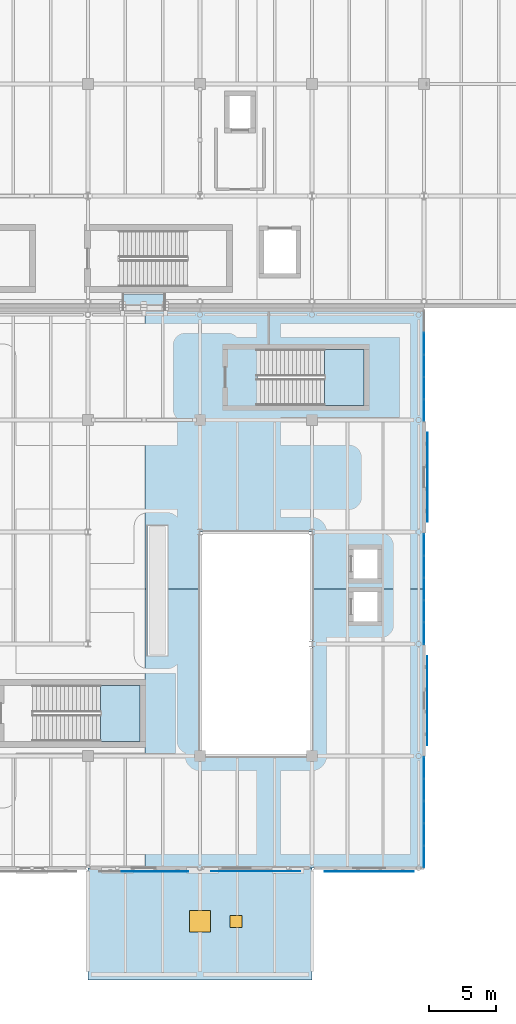
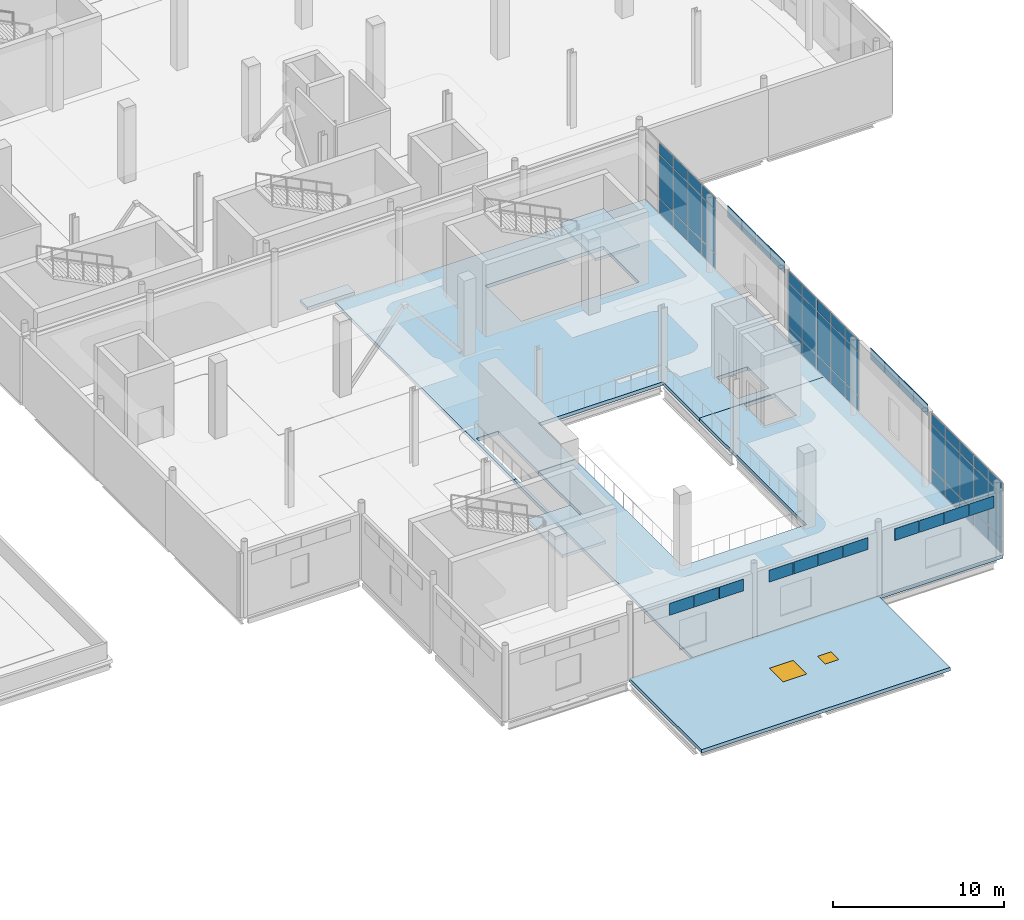
# One storey, part 61 of 110: 61 plates, 6 slabs, 1 door, 1 window, 2 openings, 5 elements without a shape of their own.
"""IFC4 building model written with IfcOpenShell, lengths in metres."""

from ifc_helpers import new_model, si_unit, direction, frame, origin, origin_2d, place, context, subcontext, project, spatial, polyline, rectangle, outline, extrude, material, layer, layer_set, type_object, element, fill, aggregate, save


model = new_model("IFC4")

# Units and contexts
model_context = context("Model", 3, precision=1e-05, world=origin(), true_north=direction((0.0, 1.0)))
body_context = subcontext(model_context, "Body", "Model", "MODEL_VIEW")
ifc_project = project(units=[si_unit("LENGTHUNIT", "METRE"), si_unit("AREAUNIT", "SQUARE_METRE"), si_unit("VOLUMEUNIT", "CUBIC_METRE"), si_unit("PLANEANGLEUNIT", "RADIAN"), si_unit("MASSUNIT", "GRAM", prefix="KILO"), si_unit("THERMODYNAMICTEMPERATUREUNIT", "KELVIN")], contexts=[model_context])

# Site, building, storey
site_placement = place(None, origin())
site = spatial("IfcSite", under=ifc_project, at=site_placement, CompositionType="ELEMENT")
building_placement = place(site_placement, origin())
building = spatial("IfcBuilding", under=site, at=building_placement, Name="Lustrewick Department Store", CompositionType="ELEMENT")
storey_placement = place(building_placement, frame((0.0, 0.0, 6.0)))
storey = spatial("IfcBuildingStorey", under=building, at=storey_placement, Name="L02", CompositionType="ELEMENT", Elevation=6.0)

# Curtain wall, plates
ifc_material_1 = material(Name="Thermally broken aluminium 6063-T5", Category="aluminium")
ifc_layer_1 = layer(ifc_material_1, 0.139892578125, Name="Thermally broken aluminium 6063-T5")
ifc_layer_set_1 = layer_set([ifc_layer_1], Name="Thermally broken aluminium 6063-T5")
curtain_wall_type_1 = type_object("IfcCurtainWallType", Name="CW06", PredefinedType="NOTDEFINED", material=ifc_layer_set_1)
curtain_wall_1_placement = place(storey_placement, origin())
curtain_wall_1 = element("IfcCurtainWall", 1, at=curtain_wall_1_placement, inside=storey, type_object=curtain_wall_type_1, Name="L02 V3 Curtain Wall CW06", PredefinedType="NOTDEFINED")
ifc_material_2 = material(Name="Low-E laminated safety glass", Category="glass")
ifc_layer_2 = layer(ifc_material_2, 0.02392578125, Name="Low-E laminated safety glass")
ifc_layer_set_2 = layer_set([ifc_layer_2], Name="Low-E laminated safety glass")
plate_type_1 = type_object("IfcPlateType", Name="CP01", PredefinedType="CURTAIN_PANEL", material=ifc_layer_set_2)
plate_1_placement = place(storey_placement, frame((151.199951171875, 42.730712890625, 0.054931640625), z_axis=(0.0, 0.0, 1.0), x_axis=(0.0, 1.0, 0.0)))
plate_1 = element("IfcPlate", 2, at=plate_1_placement, type_object=plate_type_1, Name="CW06 panel 1.1", PredefinedType="CURTAIN_PANEL", context=body_context, shape_type="SweptSolid", body=[
    extrude(rectangle(XDim=1.591552734375, YDim=0.02392578125, at=origin_2d()), origin(), (0.0, 0.0, 1.0), 1.017578125),
])
plate_2_placement = place(storey_placement, frame((151.199951171875, 42.730712890625, 1.12744140625), z_axis=(0.0, 0.0, 1.0), x_axis=(0.0, 1.0, 0.0)))
plate_2 = element("IfcPlate", 3, at=plate_2_placement, type_object=plate_type_1, Name="CW06 panel 1.2", PredefinedType="CURTAIN_PANEL", context=body_context, shape_type="SweptSolid", body=[
    extrude(rectangle(XDim=1.591552734375, YDim=0.02392578125, at=origin_2d()), origin(), (0.0, 0.0, 1.0), 3.090087890625),
])
plate_3_placement = place(storey_placement, frame((151.199951171875, 42.730712890625, 4.2724609375), z_axis=(0.0, 0.0, 1.0), x_axis=(0.0, 1.0, 0.0)))
plate_3 = element("IfcPlate", 4, at=plate_3_placement, type_object=plate_type_1, Name="CW06 panel 1.3", PredefinedType="CURTAIN_PANEL", context=body_context, shape_type="SweptSolid", body=[
    extrude(rectangle(XDim=1.591552734375, YDim=0.02392578125, at=origin_2d()), origin(), (0.0, 0.0, 1.0), 0.8173828125),
])
plate_4_placement = place(storey_placement, frame((151.199951171875, 44.39111328125, 0.054931640625), z_axis=(0.0, 0.0, 1.0), x_axis=(0.0, 1.0, 0.0)))
plate_4 = element("IfcPlate", 5, at=plate_4_placement, type_object=plate_type_1, Name="CW06 panel 2.1", PredefinedType="CURTAIN_PANEL", context=body_context, shape_type="SweptSolid", body=[
    extrude(rectangle(XDim=1.618896484375, YDim=0.02392578125, at=origin_2d()), origin(), (0.0, 0.0, 1.0), 1.017578125),
])
plate_5_placement = place(storey_placement, frame((151.199951171875, 44.39111328125, 1.12744140625), z_axis=(0.0, 0.0, 1.0), x_axis=(0.0, 1.0, 0.0)))
plate_5 = element("IfcPlate", 6, at=plate_5_placement, type_object=plate_type_1, Name="CW06 panel 2.2", PredefinedType="CURTAIN_PANEL", context=body_context, shape_type="SweptSolid", body=[
    extrude(rectangle(XDim=1.618896484375, YDim=0.02392578125, at=origin_2d()), origin(), (0.0, 0.0, 1.0), 3.090087890625),
])
plate_6_placement = place(storey_placement, frame((151.199951171875, 44.39111328125, 4.2724609375), z_axis=(0.0, 0.0, 1.0), x_axis=(0.0, 1.0, 0.0)))
plate_6 = element("IfcPlate", 7, at=plate_6_placement, type_object=plate_type_1, Name="CW06 panel 2.3", PredefinedType="CURTAIN_PANEL", context=body_context, shape_type="SweptSolid", body=[
    extrude(rectangle(XDim=1.618896484375, YDim=0.02392578125, at=origin_2d()), origin(), (0.0, 0.0, 1.0), 0.8173828125),
])
plate_7_placement = place(storey_placement, frame((151.199951171875, 46.06494140625, 0.054931640625), z_axis=(0.0, 0.0, 1.0), x_axis=(0.0, 1.0, 0.0)))
plate_7 = element("IfcPlate", 8, at=plate_7_placement, type_object=plate_type_1, Name="CW06 panel 3.1", PredefinedType="CURTAIN_PANEL", context=body_context, shape_type="SweptSolid", body=[
    extrude(rectangle(XDim=1.618896484375, YDim=0.02392578125, at=origin_2d()), origin(), (0.0, 0.0, 1.0), 1.017578125),
])
plate_8_placement = place(storey_placement, frame((151.199951171875, 46.06494140625, 1.12744140625), z_axis=(0.0, 0.0, 1.0), x_axis=(0.0, 1.0, 0.0)))
plate_8 = element("IfcPlate", 9, at=plate_8_placement, type_object=plate_type_1, Name="CW06 panel 3.2", PredefinedType="CURTAIN_PANEL", context=body_context, shape_type="SweptSolid", body=[
    extrude(rectangle(XDim=1.618896484375, YDim=0.02392578125, at=origin_2d()), origin(), (0.0, 0.0, 1.0), 3.090087890625),
])
plate_9_placement = place(storey_placement, frame((151.199951171875, 46.06494140625, 4.2724609375), z_axis=(0.0, 0.0, 1.0), x_axis=(0.0, 1.0, 0.0)))
plate_9 = element("IfcPlate", 10, at=plate_9_placement, type_object=plate_type_1, Name="CW06 panel 3.3", PredefinedType="CURTAIN_PANEL", context=body_context, shape_type="SweptSolid", body=[
    extrude(rectangle(XDim=1.618896484375, YDim=0.02392578125, at=origin_2d()), origin(), (0.0, 0.0, 1.0), 0.8173828125),
])
plate_10_placement = place(storey_placement, frame((151.199951171875, 47.739013671875, 0.054931640625), z_axis=(0.0, 0.0, 1.0), x_axis=(0.0, 1.0, 0.0)))
plate_10 = element("IfcPlate", 11, at=plate_10_placement, type_object=plate_type_1, Name="CW06 panel 4.1", PredefinedType="CURTAIN_PANEL", context=body_context, shape_type="SweptSolid", body=[
    extrude(rectangle(XDim=1.618896484375, YDim=0.02392578125, at=origin_2d()), origin(), (0.0, 0.0, 1.0), 1.017578125),
])
plate_11_placement = place(storey_placement, frame((151.199951171875, 47.739013671875, 1.12744140625), z_axis=(0.0, 0.0, 1.0), x_axis=(0.0, 1.0, 0.0)))
plate_11 = element("IfcPlate", 12, at=plate_11_placement, type_object=plate_type_1, Name="CW06 panel 4.2", PredefinedType="CURTAIN_PANEL", context=body_context, shape_type="SweptSolid", body=[
    extrude(rectangle(XDim=1.618896484375, YDim=0.02392578125, at=origin_2d()), origin(), (0.0, 0.0, 1.0), 3.090087890625),
])
plate_12_placement = place(storey_placement, frame((151.199951171875, 47.739013671875, 4.2724609375), z_axis=(0.0, 0.0, 1.0), x_axis=(0.0, 1.0, 0.0)))
plate_12 = element("IfcPlate", 13, at=plate_12_placement, type_object=plate_type_1, Name="CW06 panel 4.3", PredefinedType="CURTAIN_PANEL", context=body_context, shape_type="SweptSolid", body=[
    extrude(rectangle(XDim=1.618896484375, YDim=0.02392578125, at=origin_2d()), origin(), (0.0, 0.0, 1.0), 0.8173828125),
])
aggregate(curtain_wall_1, [plate_1, plate_2, plate_3, plate_4, plate_5, plate_6, plate_7, plate_8, plate_9, plate_10, plate_11, plate_12])

ifc_layer_3 = layer(ifc_material_1, 0.159912109375, Name="Thermally broken aluminium 6063-T5")
ifc_layer_set_3 = layer_set([ifc_layer_3], Name="Thermally broken aluminium 6063-T5")
curtain_wall_type_2 = type_object("IfcCurtainWallType", Name="CW04", PredefinedType="NOTDEFINED", material=ifc_layer_set_3)
curtain_wall_2_placement = place(storey_placement, origin())
curtain_wall_2 = element("IfcCurtainWall", 14, at=curtain_wall_2_placement, inside=storey, type_object=curtain_wall_type_2, Name="L02 V3 Curtain Wall CW04", PredefinedType="NOTDEFINED")
ifc_material_3 = material(Name="Tinted ceramic spandrel safety glass", Category="glass")
ifc_layer_4 = layer(ifc_material_3, 0.030029296875, Name="Tinted ceramic spandrel safety glass")
ifc_layer_set_4 = layer_set([ifc_layer_4], Name="Tinted ceramic spandrel safety glass")
plate_type_2 = type_object("IfcPlateType", Name="CP04", PredefinedType="CURTAIN_PANEL", material=ifc_layer_set_4)
plate_13_placement = place(storey_placement, frame((151.199951171875, 9.251953125, 0.06005859375), z_axis=(0.0, 0.0, 1.0), x_axis=(0.0, 1.0, 0.0)))
plate_13 = element("IfcPlate", 15, at=plate_13_placement, type_object=plate_type_2, Name="CW04 panel 1.1", PredefinedType="CURTAIN_PANEL", context=body_context, shape_type="SweptSolid", body=[
    extrude(rectangle(XDim=1.583984375, YDim=0.030029296875, at=origin_2d()), origin(), (0.0, 0.0, 1.0), 1.010009765625),
])
plate_14_placement = place(storey_placement, frame((151.199951171875, 9.251953125, 1.130126953125), z_axis=(0.0, 0.0, 1.0), x_axis=(0.0, 1.0, 0.0)))
plate_14 = element("IfcPlate", 16, at=plate_14_placement, type_object=plate_type_2, Name="CW04 panel 1.2", PredefinedType="CURTAIN_PANEL", context=body_context, shape_type="SweptSolid", body=[
    extrude(rectangle(XDim=1.583984375, YDim=0.030029296875, at=origin_2d()), origin(), (0.0, 0.0, 1.0), 3.0849609375),
])
plate_15_placement = place(storey_placement, frame((151.199951171875, 9.251953125, 4.27490234375), z_axis=(0.0, 0.0, 1.0), x_axis=(0.0, 1.0, 0.0)))
plate_15 = element("IfcPlate", 17, at=plate_15_placement, type_object=plate_type_2, Name="CW04 panel 1.3", PredefinedType="CURTAIN_PANEL", context=body_context, shape_type="SweptSolid", body=[
    extrude(rectangle(XDim=1.583984375, YDim=0.030029296875, at=origin_2d()), origin(), (0.0, 0.0, 1.0), 0.81005859375),
])
plate_16_placement = place(storey_placement, frame((151.199951171875, 10.910888671875, 0.06005859375), z_axis=(0.0, 0.0, 1.0), x_axis=(0.0, 1.0, 0.0)))
plate_16 = element("IfcPlate", 18, at=plate_16_placement, type_object=plate_type_2, Name="CW04 panel 2.1", PredefinedType="CURTAIN_PANEL", context=body_context, shape_type="SweptSolid", body=[
    extrude(rectangle(XDim=1.614013671875, YDim=0.030029296875, at=origin_2d()), origin(), (0.0, 0.0, 1.0), 1.010009765625),
])
plate_17_placement = place(storey_placement, frame((151.199951171875, 10.910888671875, 1.130126953125), z_axis=(0.0, 0.0, 1.0), x_axis=(0.0, 1.0, 0.0)))
plate_17 = element("IfcPlate", 19, at=plate_17_placement, type_object=plate_type_2, Name="CW04 panel 2.2", PredefinedType="CURTAIN_PANEL", context=body_context, shape_type="SweptSolid", body=[
    extrude(rectangle(XDim=1.614013671875, YDim=0.030029296875, at=origin_2d()), origin(), (0.0, 0.0, 1.0), 3.0849609375),
])
plate_18_placement = place(storey_placement, frame((151.199951171875, 10.910888671875, 4.27490234375), z_axis=(0.0, 0.0, 1.0), x_axis=(0.0, 1.0, 0.0)))
plate_18 = element("IfcPlate", 20, at=plate_18_placement, type_object=plate_type_2, Name="CW04 panel 2.3", PredefinedType="CURTAIN_PANEL", context=body_context, shape_type="SweptSolid", body=[
    extrude(rectangle(XDim=1.614013671875, YDim=0.030029296875, at=origin_2d()), origin(), (0.0, 0.0, 1.0), 0.81005859375),
])
plate_19_placement = place(storey_placement, frame((151.199951171875, 12.5849609375, 0.06005859375), z_axis=(0.0, 0.0, 1.0), x_axis=(0.0, 1.0, 0.0)))
plate_19 = element("IfcPlate", 21, at=plate_19_placement, type_object=plate_type_2, Name="CW04 panel 3.1", PredefinedType="CURTAIN_PANEL", context=body_context, shape_type="SweptSolid", body=[
    extrude(rectangle(XDim=1.614013671875, YDim=0.030029296875, at=origin_2d()), origin(), (0.0, 0.0, 1.0), 1.010009765625),
])
plate_20_placement = place(storey_placement, frame((151.199951171875, 12.5849609375, 1.130126953125), z_axis=(0.0, 0.0, 1.0), x_axis=(0.0, 1.0, 0.0)))
plate_20 = element("IfcPlate", 22, at=plate_20_placement, type_object=plate_type_2, Name="CW04 panel 3.2", PredefinedType="CURTAIN_PANEL", context=body_context, shape_type="SweptSolid", body=[
    extrude(rectangle(XDim=1.614013671875, YDim=0.030029296875, at=origin_2d()), origin(), (0.0, 0.0, 1.0), 3.0849609375),
])
plate_21_placement = place(storey_placement, frame((151.199951171875, 12.5849609375, 4.27490234375), z_axis=(0.0, 0.0, 1.0), x_axis=(0.0, 1.0, 0.0)))
plate_21 = element("IfcPlate", 23, at=plate_21_placement, type_object=plate_type_2, Name="CW04 panel 3.3", PredefinedType="CURTAIN_PANEL", context=body_context, shape_type="SweptSolid", body=[
    extrude(rectangle(XDim=1.614013671875, YDim=0.030029296875, at=origin_2d()), origin(), (0.0, 0.0, 1.0), 0.81005859375),
])
plate_22_placement = place(storey_placement, frame((151.199951171875, 14.259033203125, 0.06005859375), z_axis=(0.0, 0.0, 1.0), x_axis=(0.0, 1.0, 0.0)))
plate_22 = element("IfcPlate", 24, at=plate_22_placement, type_object=plate_type_2, Name="CW04 panel 4.1", PredefinedType="CURTAIN_PANEL", context=body_context, shape_type="SweptSolid", body=[
    extrude(rectangle(XDim=1.614013671875, YDim=0.030029296875, at=origin_2d()), origin(), (0.0, 0.0, 1.0), 1.010009765625),
])
plate_23_placement = place(storey_placement, frame((151.199951171875, 14.259033203125, 1.130126953125), z_axis=(0.0, 0.0, 1.0), x_axis=(0.0, 1.0, 0.0)))
plate_23 = element("IfcPlate", 25, at=plate_23_placement, type_object=plate_type_2, Name="CW04 panel 4.2", PredefinedType="CURTAIN_PANEL", context=body_context, shape_type="SweptSolid", body=[
    extrude(rectangle(XDim=1.614013671875, YDim=0.030029296875, at=origin_2d()), origin(), (0.0, 0.0, 1.0), 3.0849609375),
])
plate_24_placement = place(storey_placement, frame((151.199951171875, 14.259033203125, 4.27490234375), z_axis=(0.0, 0.0, 1.0), x_axis=(0.0, 1.0, 0.0)))
plate_24 = element("IfcPlate", 26, at=plate_24_placement, type_object=plate_type_2, Name="CW04 panel 4.3", PredefinedType="CURTAIN_PANEL", context=body_context, shape_type="SweptSolid", body=[
    extrude(rectangle(XDim=1.614013671875, YDim=0.030029296875, at=origin_2d()), origin(), (0.0, 0.0, 1.0), 0.81005859375),
])
plate_25_placement = place(storey_placement, frame((151.199951171875, 15.91796875, 0.06005859375), z_axis=(0.0, 0.0, 1.0), x_axis=(0.0, 1.0, 0.0)))
plate_25 = element("IfcPlate", 27, at=plate_25_placement, type_object=plate_type_2, Name="CW04 panel 5.1", PredefinedType="CURTAIN_PANEL", context=body_context, shape_type="SweptSolid", body=[
    extrude(rectangle(XDim=1.583984375, YDim=0.030029296875, at=origin_2d()), origin(), (0.0, 0.0, 1.0), 1.010009765625),
])
plate_26_placement = place(storey_placement, frame((151.199951171875, 15.91796875, 1.130126953125), z_axis=(0.0, 0.0, 1.0), x_axis=(0.0, 1.0, 0.0)))
plate_26 = element("IfcPlate", 28, at=plate_26_placement, type_object=plate_type_2, Name="CW04 panel 5.2", PredefinedType="CURTAIN_PANEL", context=body_context, shape_type="SweptSolid", body=[
    extrude(rectangle(XDim=1.583984375, YDim=0.030029296875, at=origin_2d()), origin(), (0.0, 0.0, 1.0), 3.0849609375),
])
plate_27_placement = place(storey_placement, frame((151.199951171875, 15.91796875, 4.27490234375), z_axis=(0.0, 0.0, 1.0), x_axis=(0.0, 1.0, 0.0)))
plate_27 = element("IfcPlate", 29, at=plate_27_placement, type_object=plate_type_2, Name="CW04 panel 5.3", PredefinedType="CURTAIN_PANEL", context=body_context, shape_type="SweptSolid", body=[
    extrude(rectangle(XDim=1.583984375, YDim=0.030029296875, at=origin_2d()), origin(), (0.0, 0.0, 1.0), 0.81005859375),
])
aggregate(curtain_wall_2, [plate_13, plate_14, plate_15, plate_16, plate_17, plate_18, plate_19, plate_20, plate_21, plate_22, plate_23, plate_24, plate_25, plate_26, plate_27])

ifc_layer_5 = layer(ifc_material_1, 0.14990234375, Name="Thermally broken aluminium 6063-T5")
ifc_layer_set_5 = layer_set([ifc_layer_5], Name="Thermally broken aluminium 6063-T5")
curtain_wall_type_3 = type_object("IfcCurtainWallType", Name="CW05", PredefinedType="NOTDEFINED", material=ifc_layer_set_5)
curtain_wall_3_placement = place(storey_placement, origin())
curtain_wall_3 = element("IfcCurtainWall", 30, at=curtain_wall_3_placement, inside=storey, type_object=curtain_wall_type_3, Name="L02 V3 Curtain Wall CW05", PredefinedType="NOTDEFINED")
ifc_material_4 = material(Name="Low-E triple laminated safety glass", Category="glass")
ifc_layer_6 = layer(ifc_material_4, 0.031982421875, Name="Low-E triple laminated safety glass")
ifc_layer_set_6 = layer_set([ifc_layer_6], Name="Low-E triple laminated safety glass")
plate_type_3 = type_object("IfcPlateType", Name="CP05", PredefinedType="CURTAIN_PANEL", material=ifc_layer_set_6)
plate_28_placement = place(storey_placement, frame((151.199951171875, 25.991943359375, 0.06005859375), z_axis=(0.0, 0.0, 1.0), x_axis=(0.0, 1.0, 0.0)))
plate_28 = element("IfcPlate", 31, at=plate_28_placement, type_object=plate_type_3, Name="CW05 panel 1.1", PredefinedType="CURTAIN_PANEL", context=body_context, shape_type="SweptSolid", body=[
    extrude(rectangle(XDim=1.583984375, YDim=0.031982421875, at=origin_2d()), origin(), (0.0, 0.0, 1.0), 1.010009765625),
])
plate_29_placement = place(storey_placement, frame((151.199951171875, 25.991943359375, 1.130126953125), z_axis=(0.0, 0.0, 1.0), x_axis=(0.0, 1.0, 0.0)))
plate_29 = element("IfcPlate", 32, at=plate_29_placement, type_object=plate_type_3, Name="CW05 panel 1.2", PredefinedType="CURTAIN_PANEL", context=body_context, shape_type="SweptSolid", body=[
    extrude(rectangle(XDim=1.583984375, YDim=0.031982421875, at=origin_2d()), origin(), (0.0, 0.0, 1.0), 3.0849609375),
])
plate_30_placement = place(storey_placement, frame((151.199951171875, 25.991943359375, 4.27490234375), z_axis=(0.0, 0.0, 1.0), x_axis=(0.0, 1.0, 0.0)))
plate_30 = element("IfcPlate", 33, at=plate_30_placement, type_object=plate_type_3, Name="CW05 panel 1.3", PredefinedType="CURTAIN_PANEL", context=body_context, shape_type="SweptSolid", body=[
    extrude(rectangle(XDim=1.583984375, YDim=0.031982421875, at=origin_2d()), origin(), (0.0, 0.0, 1.0), 0.81005859375),
])
plate_31_placement = place(storey_placement, frame((151.199951171875, 27.65087890625, 0.06005859375), z_axis=(0.0, 0.0, 1.0), x_axis=(0.0, 1.0, 0.0)))
plate_31 = element("IfcPlate", 34, at=plate_31_placement, type_object=plate_type_3, Name="CW05 panel 2.1", PredefinedType="CURTAIN_PANEL", context=body_context, shape_type="SweptSolid", body=[
    extrude(rectangle(XDim=1.614013671875, YDim=0.031982421875, at=origin_2d()), origin(), (0.0, 0.0, 1.0), 1.010009765625),
])
plate_32_placement = place(storey_placement, frame((151.199951171875, 27.65087890625, 1.130126953125), z_axis=(0.0, 0.0, 1.0), x_axis=(0.0, 1.0, 0.0)))
plate_32 = element("IfcPlate", 35, at=plate_32_placement, type_object=plate_type_3, Name="CW05 panel 2.2", PredefinedType="CURTAIN_PANEL", context=body_context, shape_type="SweptSolid", body=[
    extrude(rectangle(XDim=1.614013671875, YDim=0.031982421875, at=origin_2d()), origin(), (0.0, 0.0, 1.0), 3.0849609375),
])
plate_33_placement = place(storey_placement, frame((151.199951171875, 27.65087890625, 4.27490234375), z_axis=(0.0, 0.0, 1.0), x_axis=(0.0, 1.0, 0.0)))
plate_33 = element("IfcPlate", 36, at=plate_33_placement, type_object=plate_type_3, Name="CW05 panel 2.3", PredefinedType="CURTAIN_PANEL", context=body_context, shape_type="SweptSolid", body=[
    extrude(rectangle(XDim=1.614013671875, YDim=0.031982421875, at=origin_2d()), origin(), (0.0, 0.0, 1.0), 0.81005859375),
])
plate_34_placement = place(storey_placement, frame((151.199951171875, 29.324951171875, 0.06005859375), z_axis=(0.0, 0.0, 1.0), x_axis=(0.0, 1.0, 0.0)))
plate_34 = element("IfcPlate", 37, at=plate_34_placement, type_object=plate_type_3, Name="CW05 panel 3.1", PredefinedType="CURTAIN_PANEL", context=body_context, shape_type="SweptSolid", body=[
    extrude(rectangle(XDim=1.614013671875, YDim=0.031982421875, at=origin_2d()), origin(), (0.0, 0.0, 1.0), 1.010009765625),
])
plate_35_placement = place(storey_placement, frame((151.199951171875, 29.324951171875, 1.130126953125), z_axis=(0.0, 0.0, 1.0), x_axis=(0.0, 1.0, 0.0)))
plate_35 = element("IfcPlate", 38, at=plate_35_placement, type_object=plate_type_3, Name="CW05 panel 3.2", PredefinedType="CURTAIN_PANEL", context=body_context, shape_type="SweptSolid", body=[
    extrude(rectangle(XDim=1.614013671875, YDim=0.031982421875, at=origin_2d()), origin(), (0.0, 0.0, 1.0), 3.0849609375),
])
plate_36_placement = place(storey_placement, frame((151.199951171875, 29.324951171875, 4.27490234375), z_axis=(0.0, 0.0, 1.0), x_axis=(0.0, 1.0, 0.0)))
plate_36 = element("IfcPlate", 39, at=plate_36_placement, type_object=plate_type_3, Name="CW05 panel 3.3", PredefinedType="CURTAIN_PANEL", context=body_context, shape_type="SweptSolid", body=[
    extrude(rectangle(XDim=1.614013671875, YDim=0.031982421875, at=origin_2d()), origin(), (0.0, 0.0, 1.0), 0.81005859375),
])
plate_37_placement = place(storey_placement, frame((151.199951171875, 30.9990234375, 0.06005859375), z_axis=(0.0, 0.0, 1.0), x_axis=(0.0, 1.0, 0.0)))
plate_37 = element("IfcPlate", 40, at=plate_37_placement, type_object=plate_type_3, Name="CW05 panel 4.1", PredefinedType="CURTAIN_PANEL", context=body_context, shape_type="SweptSolid", body=[
    extrude(rectangle(XDim=1.614013671875, YDim=0.031982421875, at=origin_2d()), origin(), (0.0, 0.0, 1.0), 1.010009765625),
])
plate_38_placement = place(storey_placement, frame((151.199951171875, 30.9990234375, 1.130126953125), z_axis=(0.0, 0.0, 1.0), x_axis=(0.0, 1.0, 0.0)))
plate_38 = element("IfcPlate", 41, at=plate_38_placement, type_object=plate_type_3, Name="CW05 panel 4.2", PredefinedType="CURTAIN_PANEL", context=body_context, shape_type="SweptSolid", body=[
    extrude(rectangle(XDim=1.614013671875, YDim=0.031982421875, at=origin_2d()), origin(), (0.0, 0.0, 1.0), 3.0849609375),
])
plate_39_placement = place(storey_placement, frame((151.199951171875, 30.9990234375, 4.27490234375), z_axis=(0.0, 0.0, 1.0), x_axis=(0.0, 1.0, 0.0)))
plate_39 = element("IfcPlate", 42, at=plate_39_placement, type_object=plate_type_3, Name="CW05 panel 4.3", PredefinedType="CURTAIN_PANEL", context=body_context, shape_type="SweptSolid", body=[
    extrude(rectangle(XDim=1.614013671875, YDim=0.031982421875, at=origin_2d()), origin(), (0.0, 0.0, 1.0), 0.81005859375),
])
plate_40_placement = place(storey_placement, frame((151.199951171875, 32.657958984375, 0.06005859375), z_axis=(0.0, 0.0, 1.0), x_axis=(0.0, 1.0, 0.0)))
plate_40 = element("IfcPlate", 43, at=plate_40_placement, type_object=plate_type_3, Name="CW05 panel 5.1", PredefinedType="CURTAIN_PANEL", context=body_context, shape_type="SweptSolid", body=[
    extrude(rectangle(XDim=1.583984375, YDim=0.031982421875, at=origin_2d()), origin(), (0.0, 0.0, 1.0), 1.010009765625),
])
plate_41_placement = place(storey_placement, frame((151.199951171875, 32.657958984375, 1.130126953125), z_axis=(0.0, 0.0, 1.0), x_axis=(0.0, 1.0, 0.0)))
plate_41 = element("IfcPlate", 44, at=plate_41_placement, type_object=plate_type_3, Name="CW05 panel 5.2", PredefinedType="CURTAIN_PANEL", context=body_context, shape_type="SweptSolid", body=[
    extrude(rectangle(XDim=1.583984375, YDim=0.031982421875, at=origin_2d()), origin(), (0.0, 0.0, 1.0), 3.0849609375),
])
plate_42_placement = place(storey_placement, frame((151.199951171875, 32.657958984375, 4.27490234375), z_axis=(0.0, 0.0, 1.0), x_axis=(0.0, 1.0, 0.0)))
plate_42 = element("IfcPlate", 45, at=plate_42_placement, type_object=plate_type_3, Name="CW05 panel 5.3", PredefinedType="CURTAIN_PANEL", context=body_context, shape_type="SweptSolid", body=[
    extrude(rectangle(XDim=1.583984375, YDim=0.031982421875, at=origin_2d()), origin(), (0.0, 0.0, 1.0), 0.81005859375),
])
aggregate(curtain_wall_3, [plate_28, plate_29, plate_30, plate_31, plate_32, plate_33, plate_34, plate_35, plate_36, plate_37, plate_38, plate_39, plate_40, plate_41, plate_42])

# Slabs
ifc_material_5 = material(Name="Concrete C30", Category="concrete")
ifc_layer_7 = layer(ifc_material_5, 0.25, Name="Concrete C30")
ifc_layer_set_7 = layer_set([ifc_layer_7], Name="Concrete C30")
slab_type_1 = type_object("IfcSlabType", Name="FS02", PredefinedType="FLOOR", material=ifc_layer_set_7)
slab_1_placement = place(storey_placement, frame((0.0, 0.0, -0.25)))
element("IfcSlab", 46, at=slab_1_placement, inside=storey, type_object=slab_type_1, Name="L02 V3 Floor Slab FS02", PredefinedType="FLOOR", context=body_context, shape_type="SweptSolid", body=[
    extrude(outline(polyline([(151.199951171875, 8.39990234375), (151.199951171875, 29.324951171875), (142.800048828125, 29.324951171875), (142.800048828125, 16.800048828125), (134.39990234375, 16.800048828125), (134.39990234375, 29.324951171875), (131.949951171875, 29.324951171875), (131.949951171875, 24.35009765625), (130.449951171875, 24.35009765625), (130.449951171875, 29.324951171875), (130.27490234375, 29.324951171875), (130.27490234375, 8.39990234375), (151.199951171875, 8.39990234375)]), holes=[polyline([(145.75, 26.75), (145.75, 29.25), (147.85009765625, 29.25), (147.85009765625, 26.75), (145.75, 26.75)])]), origin(), (0.0, 0.0, 1.0), 0.25),
])
slab_2_placement = place(storey_placement, frame((0.0, 0.0, -0.25)))
element("IfcSlab", 47, at=slab_2_placement, inside=storey, type_object=slab_type_1, Name="L02 V3 Floor Slab FS02", PredefinedType="FLOOR", context=body_context, shape_type="SweptSolid", body=[
    extrude(outline(polyline([(151.199951171875, 29.324951171875), (151.199951171875, 50.25), (130.27490234375, 50.25), (130.27490234375, 29.324951171875), (130.449951171875, 29.324951171875), (130.449951171875, 34.050048828125), (131.949951171875, 34.050048828125), (131.949951171875, 29.324951171875), (134.39990234375, 29.324951171875), (134.39990234375, 33.60009765625), (142.800048828125, 33.60009765625), (142.800048828125, 29.324951171875), (151.199951171875, 29.324951171875)]), holes=[polyline([(145.75, 29.949951171875), (145.75, 32.449951171875), (147.85009765625, 32.449951171875), (147.85009765625, 29.949951171875), (145.75, 29.949951171875)]), polyline([(138.719970703125, 43.10009765625), (138.719970703125, 47.300048828125), (146.699951171875, 47.300048828125), (146.699951171875, 43.10009765625), (138.719970703125, 43.10009765625)])]), origin(), (0.0, 0.0, 1.0), 0.25),
])
ifc_layer_8 = layer(ifc_material_5, 0.215087890625, Name="Concrete C30")
ifc_layer_set_8 = layer_set([ifc_layer_8], Name="Concrete C30")
slab_type_2 = type_object("IfcSlabType", Name="FS10", PredefinedType="FLOOR", material=ifc_layer_set_8)
slab_3_placement = place(storey_placement, frame((0.0, 0.0, -0.215087890625)))
element("IfcSlab", 48, at=slab_3_placement, inside=storey, type_object=slab_type_2, Name="L02 Skybridge SB34 Deck Slab", PredefinedType="FLOOR", context=body_context, shape_type="SweptSolid", body=[
    extrude(outline(polyline([(131.800048828125, 50.554931640625), (131.800048828125, 51.429931640625), (128.60009765625, 51.429931640625), (128.60009765625, 50.554931640625), (131.800048828125, 50.554931640625)])), origin(), (0.0, 0.0, 1.0), 0.215087890625),
])

# Stair, slab
stair_type = type_object("IfcStairType", Name="ST-H54", PredefinedType="HALF_TURN_STAIR", material=ifc_material_5)
stair_1_placement = place(storey_placement, origin())
stair_1 = element("IfcStair", 49, at=stair_1_placement, inside=storey, type_object=stair_type, Name="L02 Smoke-Proof Exit Stair ST07", PredefinedType="HALF_TURN_STAIR")
ifc_layer_9 = layer(ifc_material_5, 0.199951171875, Name="Concrete C30")
ifc_layer_set_9 = layer_set([ifc_layer_9], Name="Concrete C30")
slab_type_3 = type_object("IfcSlabType", Name="LS01", PredefinedType="LANDING", material=ifc_layer_set_9)
slab_4_placement = place(storey_placement, frame((0.0, 0.0, 2.5)))
slab_4 = element("IfcSlab", 50, at=slab_4_placement, type_object=slab_type_3, Name="ST-H54 landing 1", PredefinedType="LANDING", context=body_context, shape_type="SweptSolid", body=[
    extrude(outline(polyline([(126.949951171875, 17.89990234375), (129.89990234375, 17.89990234375), (129.89990234375, 22.10009765625), (126.949951171875, 22.10009765625), (126.949951171875, 17.89990234375)])), origin(), (0.0, 0.0, 1.0), 0.199951171875),
])
aggregate(stair_1, [slab_4])

stair_2_placement = place(storey_placement, origin())
stair_2 = element("IfcStair", 51, at=stair_2_placement, inside=storey, type_object=stair_type, Name="L02 Smoke-Proof Exit Stair ST08", PredefinedType="HALF_TURN_STAIR")
slab_5_placement = place(storey_placement, frame((0.0, 0.0, 2.5)))
slab_5 = element("IfcSlab", 52, at=slab_5_placement, type_object=slab_type_3, Name="ST-H54 landing 1", PredefinedType="LANDING", context=body_context, shape_type="SweptSolid", body=[
    extrude(outline(polyline([(143.75, 43.10009765625), (146.699951171875, 43.10009765625), (146.699951171875, 47.300048828125), (143.75, 47.300048828125), (143.75, 43.10009765625)])), origin(), (0.0, 0.0, 1.0), 0.199951171875),
])
aggregate(stair_2, [slab_5])

# Plates
ifc_material_6 = material(Name="Sage-green enamelled aluminium spandrel 3003-H24", Category="aluminium")
ifc_layer_10 = layer(ifc_material_6, 0.01611328125, Name="Sage-green enamelled aluminium spandrel 3003-H24")
ifc_layer_set_10 = layer_set([ifc_layer_10], Name="Sage-green enamelled aluminium spandrel 3003-H24")
plate_type_4 = type_object("IfcPlateType", Name="PS05", PredefinedType="SHEET", material=ifc_layer_set_10)
for number, where, z_axis, x_axis, name in (
    (53, (129.360107421875, 8.132080078125, 3.77685546875), (0.0, 0.0, 1.0), (1.0, 0.0, 0.0), "L02 Botanical Filigree Cassette PS05 0179"),
    (54, (131.0400390625, 8.132080078125, 3.77685546875), (0.0, 0.0, 1.0), (1.0, 0.0, 0.0), "L02 Botanical Filigree Cassette PS05 0180"),
    (55, (132.719970703125, 8.132080078125, 3.77685546875), (0.0, 0.0, 1.0), (1.0, 0.0, 0.0), "L02 Botanical Filigree Cassette PS05 0181"),
    (56, (136.080078125, 8.152099609375, 3.77685546875), (0.0, 0.0, 1.0), (1.0, 0.0, 0.0), "L02 Botanical Filigree Cassette PS05 0182"),
    (57, (137.760009765625, 8.152099609375, 3.77685546875), (0.0, 0.0, 1.0), (1.0, 0.0, 0.0), "L02 Botanical Filigree Cassette PS05 0183"),
    (58, (139.43994140625, 8.152099609375, 3.77685546875), (0.0, 0.0, 1.0), (1.0, 0.0, 0.0), "L02 Botanical Filigree Cassette PS05 0184"),
    (59, (141.1201171875, 8.152099609375, 3.77685546875), (0.0, 0.0, 1.0), (1.0, 0.0, 0.0), "L02 Botanical Filigree Cassette PS05 0185"),
    (60, (144.57177734375, 8.14208984375, 3.77685546875), (0.0, 0.0, 1.0), (1.0, 0.0, 0.0), "L02 Botanical Filigree Cassette PS05 0186"),
    (61, (146.251708984375, 8.14208984375, 3.77685546875), (0.0, 0.0, 1.0), (1.0, 0.0, 0.0), "L02 Botanical Filigree Cassette PS05 0187"),
    (62, (147.931640625, 8.14208984375, 3.77685546875), (0.0, 0.0, 1.0), (1.0, 0.0, 0.0), "L02 Botanical Filigree Cassette PS05 0188"),
    (63, (149.61181640625, 8.14208984375, 3.77685546875), (0.0, 0.0, 1.0), (1.0, 0.0, 0.0), "L02 Botanical Filigree Cassette PS05 0189"),
    (64, (151.447998046875, 18.43505859375, 4.22509765625), (0.0, 0.0, 1.0), (0.0, 1.0, 0.0), "L02 Botanical Filigree Cassette PS05 0190"),
    (65, (151.447998046875, 20.114990234375, 4.22509765625), (0.0, 0.0, 1.0), (0.0, 1.0, 0.0), "L02 Botanical Filigree Cassette PS05 0191"),
    (66, (151.447998046875, 21.794921875, 4.22509765625), (0.0, 0.0, 1.0), (0.0, 1.0, 0.0), "L02 Botanical Filigree Cassette PS05 0192"),
    (67, (151.447998046875, 23.47509765625, 4.22509765625), (0.0, 0.0, 1.0), (0.0, 1.0, 0.0), "L02 Botanical Filigree Cassette PS05 0193"),
    (68, (151.468017578125, 35.175048828125, 4.22509765625), (0.0, 0.0, 1.0), (0.0, 1.0, 0.0), "L02 Botanical Filigree Cassette PS05 0194"),
    (69, (151.468017578125, 36.85498046875, 4.22509765625), (0.0, 0.0, 1.0), (0.0, 1.0, 0.0), "L02 Botanical Filigree Cassette PS05 0195"),
    (70, (151.468017578125, 38.534912109375, 4.22509765625), (0.0, 0.0, 1.0), (0.0, 1.0, 0.0), "L02 Botanical Filigree Cassette PS05 0196"),
    (71, (151.468017578125, 40.215087890625, 4.22509765625), (0.0, 0.0, 1.0), (0.0, 1.0, 0.0), "L02 Botanical Filigree Cassette PS05 0197"),
):
    element("IfcPlate", number, at=place(storey_placement, frame(where, z_axis=z_axis, x_axis=x_axis)), inside=storey, type_object=plate_type_4, Name=name, PredefinedType="SHEET", context=body_context, shape_type="SweptSolid", body=[
        extrude(rectangle(XDim=1.639892578125, YDim=0.01611328125, at=origin_2d()), origin(), (0.0, 0.0, 1.0), 0.840087890625),
    ])

# Slab, openings, door, window
ifc_material_7 = material(Name="Concrete C35", Category="concrete")
ifc_layer_11 = layer(ifc_material_7, 0.248046875, Name="Concrete C35")
ifc_layer_set_11 = layer_set([ifc_layer_11], Name="Concrete C35")
slab_type_4 = type_object("IfcSlabType", Name="RS01", PredefinedType="ROOF", material=ifc_layer_set_11)
slab_6_placement = place(storey_placement, frame((0.0, 0.0, -0.248046875)))
slab_6 = element("IfcSlab", 72, at=slab_6_placement, inside=storey, type_object=slab_type_4, Name="L02 Flat Roof Slab V3-SOUTH-L01", PredefinedType="ROOF", context=body_context, shape_type="SweptSolid", body=[
    extrude(outline(polyline([(142.800048828125, 0.0), (142.800048828125, 8.39990234375), (126.0, 8.39990234375), (126.0, 0.0), (142.800048828125, 0.0)])), origin(), (0.0, 0.0, 1.0), 0.248046875),
])
opening_1_placement = place(slab_6_placement, frame((134.39990234375, 4.39990234375, -0.010009765625)))
opening_1 = element("IfcOpeningElement", 73, at=opening_1_placement, cuts=slab_6, Name="Opening SK03", PredefinedType="OPENING", context=body_context, shape_type="SweptSolid", body=[
    extrude(rectangle(XDim=1.60009765625, YDim=1.60009765625, at=origin_2d()), origin(), (0.0, 0.0, 1.0), 0.26806640625),
])
opening_2_placement = place(slab_6_placement, frame((137.10009765625, 4.39990234375, -0.010009765625)))
opening_2 = element("IfcOpeningElement", 74, at=opening_2_placement, cuts=slab_6, Name="Opening D-HT03", PredefinedType="OPENING", context=body_context, shape_type="SweptSolid", body=[
    extrude(rectangle(XDim=0.89990234375, YDim=0.89990234375, at=origin_2d()), origin(), (0.0, 0.0, 1.0), 0.26806640625),
])
ifc_material_8 = material(Name="Insulated aluminium roof access trapdoor", Category="aluminium")
door_type = type_object("IfcDoorType", Name="DT-14", OperationType="NOTDEFINED", PredefinedType="TRAPDOOR", material=ifc_material_8)
door_placement = place(opening_2_placement, frame((0.0, 0.0, 0.2080078125)))
door = element("IfcDoor", 75, at=door_placement, inside=storey, type_object=door_type, Name="L02 Roof Access Trapdoor D-HT03", OperationType="SINGLE_SWING_LEFT", OverallHeight=0.89990234375, OverallWidth=0.89990234375, PredefinedType="TRAPDOOR", context=body_context, shape_type="SweptSolid", body=[
    extrude(rectangle(XDim=0.89990234375, YDim=0.89990234375, at=origin_2d()), origin(), (0.0, 0.0, 1.0), 0.050048828125),
])
fill(opening_2, door)
ifc_material_9 = material(Name="Thermally broken Low-E triple-glazed skylight", Category="glass")
window_type = type_object("IfcWindowType", Name="SK03", PartitioningType="SINGLE_PANEL", PredefinedType="SKYLIGHT", material=ifc_material_9)
window_placement = place(opening_1_placement, frame((0.0, 0.0, 0.2080078125)))
window = element("IfcWindow", 76, at=window_placement, inside=storey, type_object=window_type, Name="L02 Roof Skylight SK03", OverallHeight=1.60009765625, OverallWidth=1.60009765625, PartitioningType="SINGLE_PANEL", PredefinedType="SKYLIGHT", context=body_context, shape_type="SweptSolid", body=[
    extrude(rectangle(XDim=1.60009765625, YDim=1.60009765625, at=origin_2d()), origin(), (0.0, 0.0, 1.0), 0.050048828125),
])
fill(opening_1, window)

save(model, "model.ifc")
